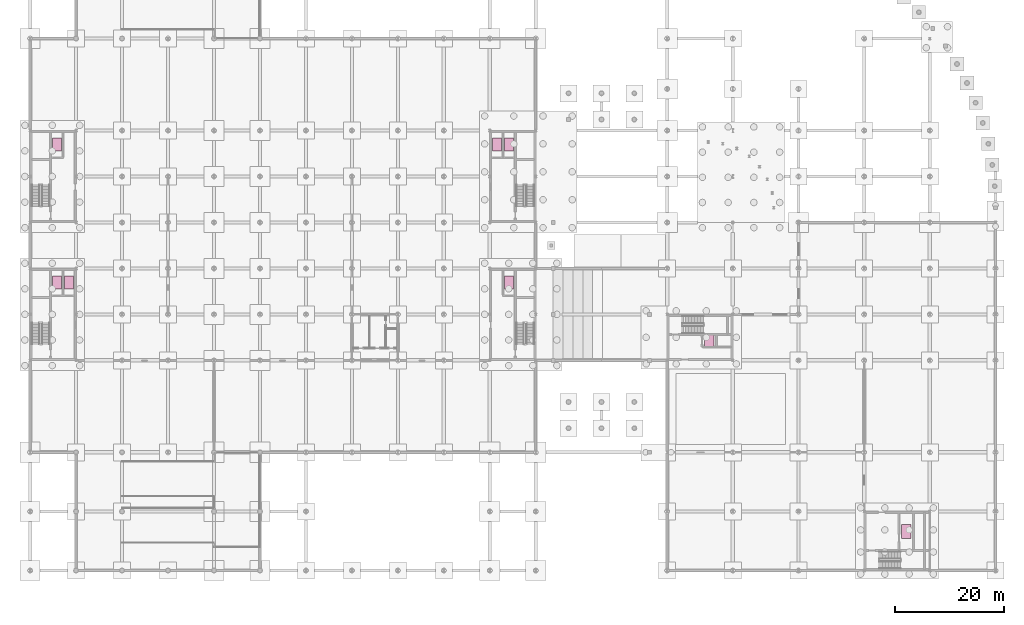
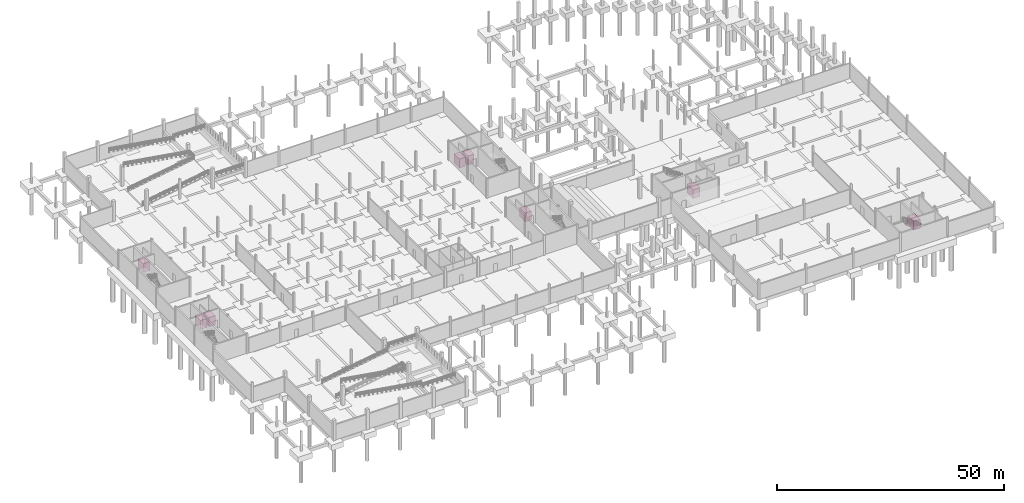
# One storey, part 36 of 36: 8 transport elements.
"""IFC4 building model written with IfcOpenShell, lengths in metres."""

from ifc_helpers import new_model, si_unit, direction, frame, origin, origin_2d, place, context, subcontext, project, spatial, rectangle, extrude, material, type_object, element, save


model = new_model("IFC4")

# Units and contexts
model_context = context("Model", 3, precision=1e-05, world=origin(), true_north=direction((0.0, 1.0)))
body_context = subcontext(model_context, "Body", "Model", "MODEL_VIEW")
ifc_project = project(units=[si_unit("LENGTHUNIT", "METRE"), si_unit("AREAUNIT", "SQUARE_METRE"), si_unit("VOLUMEUNIT", "CUBIC_METRE"), si_unit("PLANEANGLEUNIT", "RADIAN"), si_unit("MASSUNIT", "GRAM", prefix="KILO"), si_unit("THERMODYNAMICTEMPERATUREUNIT", "KELVIN"), si_unit("POWERUNIT", "WATT")], contexts=[model_context])

# Site, building, storey
site_placement = place(None, origin())
site = spatial("IfcSite", under=ifc_project, at=site_placement, CompositionType="ELEMENT")
building_placement = place(site_placement, origin())
building = spatial("IfcBuilding", under=site, at=building_placement, Name="Tembeka Court Mobility Hub", CompositionType="ELEMENT")
storey_placement = place(building_placement, frame((0.0, 0.0, -5.39990234375)))
storey = spatial("IfcBuildingStorey", under=building, at=storey_placement, Name="B1", CompositionType="ELEMENT", Elevation=-5.39990234375)

# Transport elements
ifc_material_1 = material(Name="Heavy-duty stainless steel cargo-bicycle lift car", Category="steel")
transport_element_type_1 = type_object("IfcTransportElementType", Name="LFT-CG01", PredefinedType="ELEVATOR", material=ifc_material_1)
for number, where, z_axis, x_axis, name in (
    (1, (124.10009765625, 41.97509765625, 0.0), (0.0, 0.0, 1.0), (1.0, 0.0, 0.0), "Passenger lift LF07"),
    (2, (160.10009765625, 7.14990234375, 0.0), (0.0, 0.0, 1.0), (1.0, 0.0, 0.0), "Passenger lift LF08"),
):
    element("IfcTransportElement", number, at=place(storey_placement, frame(where, z_axis=z_axis, x_axis=x_axis)), inside=storey, type_object=transport_element_type_1, Name=name, PredefinedType="ELEVATOR", context=body_context, shape_type="SweptSolid", body=[
        extrude(rectangle(XDim=1.800048828125, YDim=2.60009765625, at=origin_2d()), origin(), (0.0, 0.0, 1.0), 2.39990234375),
    ])
ifc_material_2 = material(Name="Brushed stainless steel lift car", Category="steel")
transport_element_type_2 = type_object("IfcTransportElementType", Name="LFT-FF01", PredefinedType="ELEVATOR", material=ifc_material_2)
for number, where, z_axis, x_axis, name in (
    (3, (4.89990234375, 52.625, 0.0), (0.0, 0.0, 1.0), (1.0, 0.0, 0.0), "Firefighting lift LF01"),
    (4, (85.300048828125, 77.824951171875, 0.0), (0.0, 0.0, 1.0), (1.0, 0.0, 0.0), "Firefighting lift LF02"),
):
    element("IfcTransportElement", number, at=place(storey_placement, frame(where, z_axis=z_axis, x_axis=x_axis)), inside=storey, type_object=transport_element_type_2, Name=name, PredefinedType="ELEVATOR", context=body_context, shape_type="SweptSolid", body=[
        extrude(rectangle(XDim=1.60009765625, YDim=2.39990234375, at=origin_2d()), origin(), (0.0, 0.0, 1.0), 2.39990234375),
    ])
transport_element_type_3 = type_object("IfcTransportElementType", Name="LFT-PS01", PredefinedType="ELEVATOR", material=ifc_material_2)
for number, where, z_axis, x_axis, name in (
    (5, (7.10009765625, 52.625, 0.0), (0.0, 0.0, 1.0), (1.0, 0.0, 0.0), "Passenger lift LF03"),
    (6, (87.5, 77.824951171875, 0.0), (0.0, 0.0, 1.0), (1.0, 0.0, 0.0), "Passenger lift LF04"),
    (7, (4.89990234375, 77.824951171875, 0.0), (0.0, 0.0, 1.0), (1.0, 0.0, 0.0), "Passenger lift LF05"),
    (8, (87.5, 52.625, 0.0), (0.0, 0.0, 1.0), (1.0, 0.0, 0.0), "Passenger lift LF06"),
):
    element("IfcTransportElement", number, at=place(storey_placement, frame(where, z_axis=z_axis, x_axis=x_axis)), inside=storey, type_object=transport_element_type_3, Name=name, PredefinedType="ELEVATOR", context=body_context, shape_type="SweptSolid", body=[
        extrude(rectangle(XDim=1.60009765625, YDim=2.39990234375, at=origin_2d()), origin(), (0.0, 0.0, 1.0), 2.39990234375),
    ])

save(model, "model.ifc")
